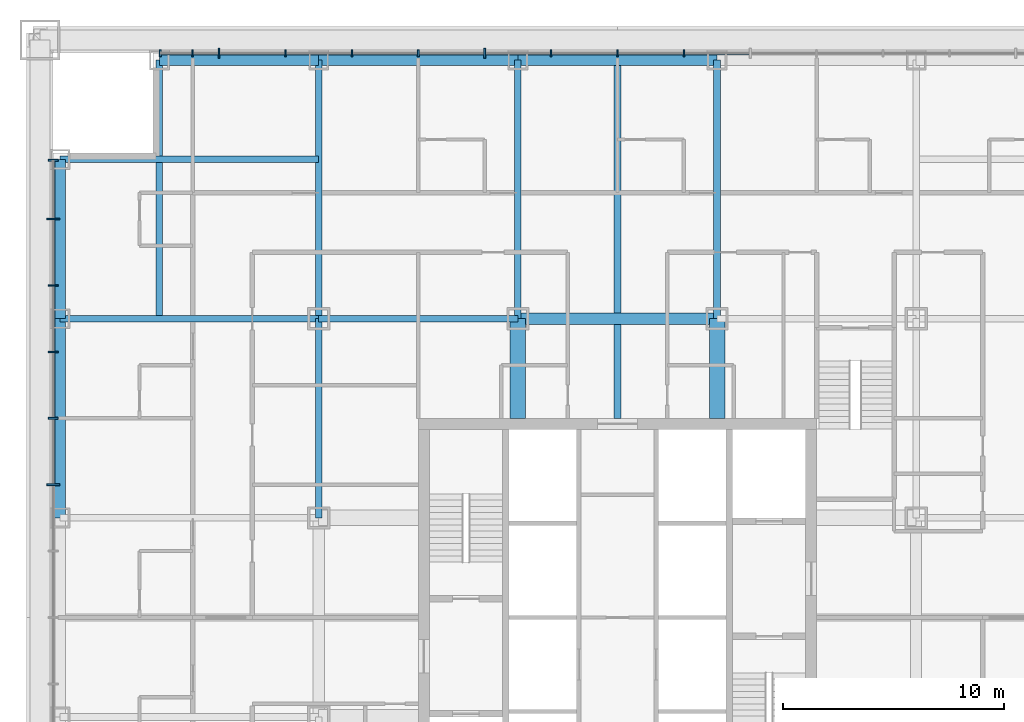
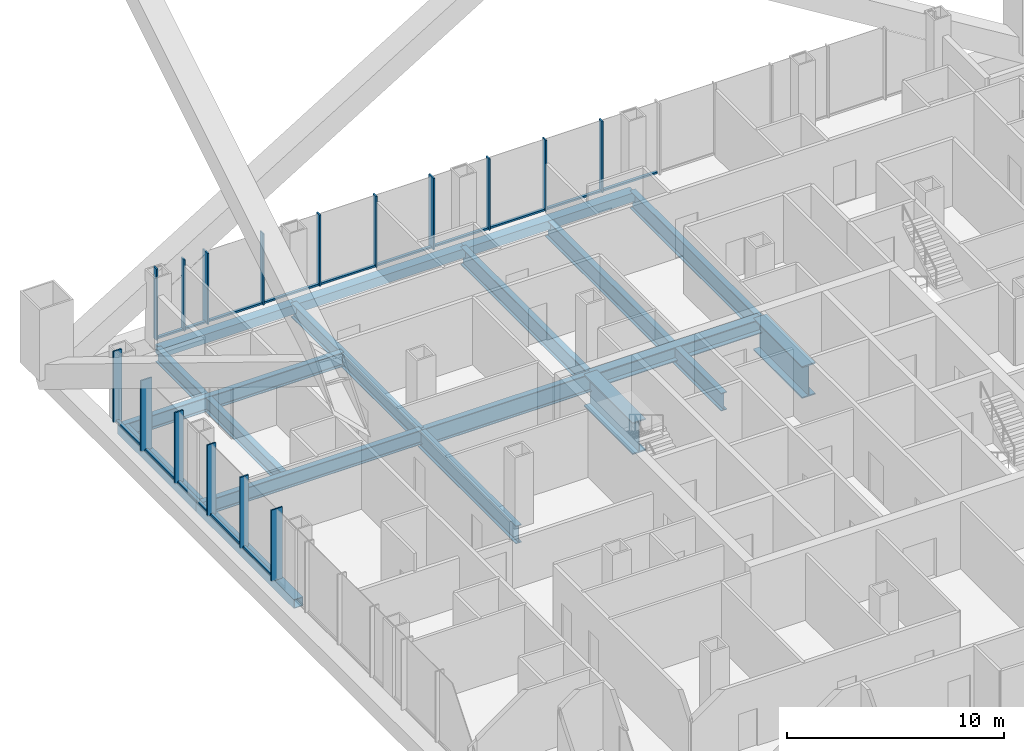
# One storey, part 8 of 21: 31 members, 17 beams, 2 elements without a shape of their own.
"""IFC4 building model written with IfcOpenShell, lengths in metres."""

from ifc_helpers import new_model, si_unit, direction, frame, origin, origin_2d, place, context, subcontext, project, spatial, rectangle, hollow_rectangle, i_section, extrude, material, layer, layer_set, material_profile, profile_set, type_object, element, aggregate, save


model = new_model("IFC4")

# Units and contexts
model_context = context("Model", 3, precision=1e-05, world=origin(), true_north=direction((0.0, 1.0)))
body_context = subcontext(model_context, "Body", "Model", "MODEL_VIEW")
ifc_project = project(units=[si_unit("LENGTHUNIT", "METRE"), si_unit("AREAUNIT", "SQUARE_METRE"), si_unit("VOLUMEUNIT", "CUBIC_METRE"), si_unit("PLANEANGLEUNIT", "RADIAN"), si_unit("MASSUNIT", "GRAM", prefix="KILO")], contexts=[model_context])

# Site, building, storey
site_placement = place(None, origin())
site = spatial("IfcSite", under=ifc_project, at=site_placement, CompositionType="ELEMENT")
building_placement = place(site_placement, origin())
building = spatial("IfcBuilding", under=site, at=building_placement, Name="Malebo Sky Hospital", CompositionType="ELEMENT")
storey_placement = place(building_placement, frame((0.0, 0.0, 63.0)))
storey = spatial("IfcBuildingStorey", under=building, at=storey_placement, Name="L14", CompositionType="ELEMENT", Elevation=63.0)

# Curtain wall, members
ifc_material_1 = material(Name="Anodised aluminium, natural silver", Category="aluminium")
ifc_layer_1 = layer(ifc_material_1, 0.25)
ifc_layer_set_1 = layer_set([ifc_layer_1], Name="WARD CURTAIN WALL NORTH AND SOUTH")
curtain_wall_type_1 = type_object("IfcCurtainWallType", Name="WARD CURTAIN WALL NORTH AND SOUTH", PredefinedType="NOTDEFINED", material=ifc_layer_set_1)
curtain_wall_1_placement = place(storey_placement, origin())
curtain_wall_1 = element("IfcCurtainWall", 1, at=curtain_wall_1_placement, inside=storey, type_object=curtain_wall_type_1, Name="NS curtain wall N", PredefinedType="NOTDEFINED")
ifc_material_profile_1 = material_profile(ifc_material_1, rectangle(XDim=0.14990234375, YDim=0.10009765625, at=origin_2d()), Name="ALUMINIUM TRANSOM 150x100")
ifc_profile_set_1 = profile_set([ifc_material_profile_1], Name="Anodised aluminium, natural silver")
member_type_1 = type_object("IfcMemberType", Name="ALUMINIUM TRANSOM 150x100", PredefinedType="USERDEFINED", material=ifc_profile_set_1)
member_1_placement = place(storey_placement, frame((39.375, 87.5, 0.050048828125), z_axis=(1.0, 0.0, 0.0), x_axis=(0.0, 1.0, 0.0)))
member_1 = element("IfcMember", 2, at=member_1_placement, type_object=member_type_1, Name="Transom 1", ObjectType="TRANSOM", PredefinedType="USERDEFINED", context=body_context, shape_type="SweptSolid", body=[
    extrude(rectangle(XDim=0.14990234375, YDim=0.10009765625, at=origin_2d()), origin(), (0.0, 0.0, 1.0), 1.387451171875),
])
member_2_placement = place(storey_placement, frame((40.83740234375, 87.5, 0.050048828125), z_axis=(1.0, 0.0, 0.0), x_axis=(0.0, 1.0, 0.0)))
member_2 = element("IfcMember", 3, at=member_2_placement, type_object=member_type_1, Name="Transom 2", ObjectType="TRANSOM", PredefinedType="USERDEFINED", context=body_context, shape_type="SweptSolid", body=[
    extrude(rectangle(XDim=0.14990234375, YDim=0.10009765625, at=origin_2d()), origin(), (0.0, 0.0, 1.0), 1.125),
])
member_3_placement = place(storey_placement, frame((42.03759765625, 87.5, 0.050048828125), z_axis=(1.0, 0.0, 0.0), x_axis=(0.0, 1.0, 0.0)))
member_3 = element("IfcMember", 4, at=member_3_placement, type_object=member_type_1, Name="Transom 3", ObjectType="TRANSOM", PredefinedType="USERDEFINED", context=body_context, shape_type="SweptSolid", body=[
    extrude(rectangle(XDim=0.14990234375, YDim=0.10009765625, at=origin_2d()), origin(), (0.0, 0.0, 1.0), 2.9248046875),
])
member_4_placement = place(storey_placement, frame((45.03759765625, 87.5, 0.050048828125), z_axis=(1.0, 0.0, 0.0), x_axis=(0.0, 1.0, 0.0)))
member_4 = element("IfcMember", 5, at=member_4_placement, type_object=member_type_1, Name="Transom 4", ObjectType="TRANSOM", PredefinedType="USERDEFINED", context=body_context, shape_type="SweptSolid", body=[
    extrude(rectangle(XDim=0.14990234375, YDim=0.10009765625, at=origin_2d()), origin(), (0.0, 0.0, 1.0), 2.9248046875),
])
member_5_placement = place(storey_placement, frame((48.03759765625, 87.5, 0.050048828125), z_axis=(1.0, 0.0, 0.0), x_axis=(0.0, 1.0, 0.0)))
member_5 = element("IfcMember", 6, at=member_5_placement, type_object=member_type_1, Name="Transom 5", ObjectType="TRANSOM", PredefinedType="USERDEFINED", context=body_context, shape_type="SweptSolid", body=[
    extrude(rectangle(XDim=0.14990234375, YDim=0.10009765625, at=origin_2d()), origin(), (0.0, 0.0, 1.0), 2.9248046875),
])
member_6_placement = place(storey_placement, frame((51.03759765625, 87.5, 0.050048828125), z_axis=(1.0, 0.0, 0.0), x_axis=(0.0, 1.0, 0.0)))
member_6 = element("IfcMember", 7, at=member_6_placement, type_object=member_type_1, Name="Transom 6", ObjectType="TRANSOM", PredefinedType="USERDEFINED", context=body_context, shape_type="SweptSolid", body=[
    extrude(rectangle(XDim=0.14990234375, YDim=0.10009765625, at=origin_2d()), origin(), (0.0, 0.0, 1.0), 2.9248046875),
])
member_7_placement = place(storey_placement, frame((54.03759765625, 87.5, 0.050048828125), z_axis=(1.0, 0.0, 0.0), x_axis=(0.0, 1.0, 0.0)))
member_7 = element("IfcMember", 8, at=member_7_placement, type_object=member_type_1, Name="Transom 7", ObjectType="TRANSOM", PredefinedType="USERDEFINED", context=body_context, shape_type="SweptSolid", body=[
    extrude(rectangle(XDim=0.14990234375, YDim=0.10009765625, at=origin_2d()), origin(), (0.0, 0.0, 1.0), 2.9248046875),
])
member_8_placement = place(storey_placement, frame((57.03759765625, 87.5, 0.050048828125), z_axis=(1.0, 0.0, 0.0), x_axis=(0.0, 1.0, 0.0)))
member_8 = element("IfcMember", 9, at=member_8_placement, type_object=member_type_1, Name="Transom 8", ObjectType="TRANSOM", PredefinedType="USERDEFINED", context=body_context, shape_type="SweptSolid", body=[
    extrude(rectangle(XDim=0.14990234375, YDim=0.10009765625, at=origin_2d()), origin(), (0.0, 0.0, 1.0), 2.9248046875),
])
member_9_placement = place(storey_placement, frame((60.03759765625, 87.5, 0.050048828125), z_axis=(1.0, 0.0, 0.0), x_axis=(0.0, 1.0, 0.0)))
member_9 = element("IfcMember", 10, at=member_9_placement, type_object=member_type_1, Name="Transom 9", ObjectType="TRANSOM", PredefinedType="USERDEFINED", context=body_context, shape_type="SweptSolid", body=[
    extrude(rectangle(XDim=0.14990234375, YDim=0.10009765625, at=origin_2d()), origin(), (0.0, 0.0, 1.0), 2.9248046875),
])
member_10_placement = place(storey_placement, frame((63.03759765625, 87.5, 0.050048828125), z_axis=(1.0, 0.0, 0.0), x_axis=(0.0, 1.0, 0.0)))
member_10 = element("IfcMember", 11, at=member_10_placement, type_object=member_type_1, Name="Transom 10", ObjectType="TRANSOM", PredefinedType="USERDEFINED", context=body_context, shape_type="SweptSolid", body=[
    extrude(rectangle(XDim=0.14990234375, YDim=0.10009765625, at=origin_2d()), origin(), (0.0, 0.0, 1.0), 2.9248046875),
])

ifc_layer_2 = layer(ifc_material_1, 0.25)
ifc_layer_set_2 = layer_set([ifc_layer_2], Name="WARD CURTAIN WALL EAST AND WEST")
curtain_wall_type_2 = type_object("IfcCurtainWallType", Name="WARD CURTAIN WALL EAST AND WEST", PredefinedType="NOTDEFINED", material=ifc_layer_set_2)
curtain_wall_2_placement = place(storey_placement, origin())
curtain_wall_2 = element("IfcCurtainWall", 12, at=curtain_wall_2_placement, inside=storey, type_object=curtain_wall_type_2, Name="EW curtain wall W", PredefinedType="NOTDEFINED")
member_11_placement = place(storey_placement, frame((34.5, 68.03759765625, 0.050048828125), z_axis=(0.0, 1.0, 0.0), x_axis=(-1.0, 0.0, 0.0)))
member_11 = element("IfcMember", 13, at=member_11_placement, type_object=member_type_1, Name="Transom 11", ObjectType="TRANSOM", PredefinedType="USERDEFINED", context=body_context, shape_type="SweptSolid", body=[
    extrude(rectangle(XDim=0.14990234375, YDim=0.10009765625, at=origin_2d()), origin(), (0.0, 0.0, 1.0), 2.9248046875),
])
member_12_placement = place(storey_placement, frame((34.5, 71.03759765625, 0.050048828125), z_axis=(0.0, 1.0, 0.0), x_axis=(-1.0, 0.0, 0.0)))
member_12 = element("IfcMember", 14, at=member_12_placement, type_object=member_type_1, Name="Transom 12", ObjectType="TRANSOM", PredefinedType="USERDEFINED", context=body_context, shape_type="SweptSolid", body=[
    extrude(rectangle(XDim=0.14990234375, YDim=0.10009765625, at=origin_2d()), origin(), (0.0, 0.0, 1.0), 2.9248046875),
])
member_13_placement = place(storey_placement, frame((34.5, 74.03759765625, 0.050048828125), z_axis=(0.0, 1.0, 0.0), x_axis=(-1.0, 0.0, 0.0)))
member_13 = element("IfcMember", 15, at=member_13_placement, type_object=member_type_1, Name="Transom 13", ObjectType="TRANSOM", PredefinedType="USERDEFINED", context=body_context, shape_type="SweptSolid", body=[
    extrude(rectangle(XDim=0.14990234375, YDim=0.10009765625, at=origin_2d()), origin(), (0.0, 0.0, 1.0), 2.9248046875),
])
member_14_placement = place(storey_placement, frame((34.5, 77.03759765625, 0.050048828125), z_axis=(0.0, 1.0, 0.0), x_axis=(-1.0, 0.0, 0.0)))
member_14 = element("IfcMember", 16, at=member_14_placement, type_object=member_type_1, Name="Transom 14", ObjectType="TRANSOM", PredefinedType="USERDEFINED", context=body_context, shape_type="SweptSolid", body=[
    extrude(rectangle(XDim=0.14990234375, YDim=0.10009765625, at=origin_2d()), origin(), (0.0, 0.0, 1.0), 2.9248046875),
])
member_15_placement = place(storey_placement, frame((34.5, 80.03759765625, 0.050048828125), z_axis=(0.0, 1.0, 0.0), x_axis=(-1.0, 0.0, 0.0)))
member_15 = element("IfcMember", 17, at=member_15_placement, type_object=member_type_1, Name="Transom 15", ObjectType="TRANSOM", PredefinedType="USERDEFINED", context=body_context, shape_type="SweptSolid", body=[
    extrude(rectangle(XDim=0.14990234375, YDim=0.10009765625, at=origin_2d()), origin(), (0.0, 0.0, 1.0), 2.58740234375),
])

# Member
ifc_material_profile_2 = material_profile(ifc_material_1, rectangle(XDim=0.074951171875, YDim=0.300048828125, at=origin_2d()), Name="CW1 ALUMINIUM FIN MULLION 75x300")
ifc_profile_set_2 = profile_set([ifc_material_profile_2], Name="Anodised aluminium, natural silver")
member_type_2 = type_object("IfcMemberType", Name="CW1 ALUMINIUM FIN MULLION 75x300", PredefinedType="MULLION", material=ifc_profile_set_2)
member_16_placement = place(storey_placement, frame((39.33740234375, 87.5, 0.0), z_axis=(0.0, 0.0, 1.0), x_axis=(1.0, 0.0, 0.0)))
member_16 = element("IfcMember", 18, at=member_16_placement, type_object=member_type_2, Name="Fin mullion 1", PredefinedType="MULLION", context=body_context, shape_type="SweptSolid", body=[
    extrude(rectangle(XDim=0.074951171875, YDim=0.300048828125, at=origin_2d()), origin(), (0.0, 0.0, 1.0), 4.0),
])

member_17_placement = place(storey_placement, frame((40.800048828125, 87.5, 0.0), z_axis=(0.0, 0.0, 1.0), x_axis=(1.0, 0.0, 0.0)))
member_17 = element("IfcMember", 19, at=member_17_placement, type_object=member_type_2, Name="Fin mullion 2", PredefinedType="MULLION", context=body_context, shape_type="SweptSolid", body=[
    extrude(rectangle(XDim=0.074951171875, YDim=0.300048828125, at=origin_2d()), origin(), (0.0, 0.0, 1.0), 4.0),
])

member_18_placement = place(storey_placement, frame((45.0, 87.5, 0.0), z_axis=(0.0, 0.0, 1.0), x_axis=(1.0, 0.0, 0.0)))
member_18 = element("IfcMember", 20, at=member_18_placement, type_object=member_type_2, Name="Fin mullion 4", PredefinedType="MULLION", context=body_context, shape_type="SweptSolid", body=[
    extrude(rectangle(XDim=0.074951171875, YDim=0.300048828125, at=origin_2d()), origin(), (0.0, 0.0, 1.0), 4.0),
])

member_19_placement = place(storey_placement, frame((48.0, 87.5, 0.0), z_axis=(0.0, 0.0, 1.0), x_axis=(1.0, 0.0, 0.0)))
member_19 = element("IfcMember", 21, at=member_19_placement, type_object=member_type_2, Name="Fin mullion 5", PredefinedType="MULLION", context=body_context, shape_type="SweptSolid", body=[
    extrude(rectangle(XDim=0.074951171875, YDim=0.300048828125, at=origin_2d()), origin(), (0.0, 0.0, 1.0), 4.0),
])

member_20_placement = place(storey_placement, frame((51.0, 87.5, 0.0), z_axis=(0.0, 0.0, 1.0), x_axis=(1.0, 0.0, 0.0)))
member_20 = element("IfcMember", 22, at=member_20_placement, type_object=member_type_2, Name="Fin mullion 6", PredefinedType="MULLION", context=body_context, shape_type="SweptSolid", body=[
    extrude(rectangle(XDim=0.074951171875, YDim=0.300048828125, at=origin_2d()), origin(), (0.0, 0.0, 1.0), 4.0),
])

member_21_placement = place(storey_placement, frame((57.0, 87.5, 0.0), z_axis=(0.0, 0.0, 1.0), x_axis=(1.0, 0.0, 0.0)))
member_21 = element("IfcMember", 23, at=member_21_placement, type_object=member_type_2, Name="Fin mullion 8", PredefinedType="MULLION", context=body_context, shape_type="SweptSolid", body=[
    extrude(rectangle(XDim=0.074951171875, YDim=0.300048828125, at=origin_2d()), origin(), (0.0, 0.0, 1.0), 4.0),
])

member_22_placement = place(storey_placement, frame((60.0, 87.5, 0.0), z_axis=(0.0, 0.0, 1.0), x_axis=(1.0, 0.0, 0.0)))
member_22 = element("IfcMember", 24, at=member_22_placement, type_object=member_type_2, Name="Fin mullion 9", PredefinedType="MULLION", context=body_context, shape_type="SweptSolid", body=[
    extrude(rectangle(XDim=0.074951171875, YDim=0.300048828125, at=origin_2d()), origin(), (0.0, 0.0, 1.0), 4.0),
])

member_23_placement = place(storey_placement, frame((63.0, 87.5, 0.0), z_axis=(0.0, 0.0, 1.0), x_axis=(1.0, 0.0, 0.0)))
member_23 = element("IfcMember", 25, at=member_23_placement, type_object=member_type_2, Name="Fin mullion 10", PredefinedType="MULLION", context=body_context, shape_type="SweptSolid", body=[
    extrude(rectangle(XDim=0.074951171875, YDim=0.300048828125, at=origin_2d()), origin(), (0.0, 0.0, 1.0), 4.0),
])

ifc_material_profile_3 = material_profile(ifc_material_1, rectangle(XDim=0.074951171875, YDim=0.449951171875, at=origin_2d()), Name="CW1 ALUMINIUM FIN MULLION 75x450")
ifc_profile_set_3 = profile_set([ifc_material_profile_3], Name="Anodised aluminium, natural silver")
member_type_3 = type_object("IfcMemberType", Name="CW1 ALUMINIUM FIN MULLION 75x450", PredefinedType="MULLION", material=ifc_profile_set_3)
member_24_placement = place(storey_placement, frame((42.0, 87.5, 0.0), z_axis=(0.0, 0.0, 1.0), x_axis=(1.0, 0.0, 0.0)))
member_24 = element("IfcMember", 26, at=member_24_placement, type_object=member_type_3, Name="Fin mullion 3", PredefinedType="MULLION", context=body_context, shape_type="SweptSolid", body=[
    extrude(rectangle(XDim=0.074951171875, YDim=0.449951171875, at=origin_2d()), origin(), (0.0, 0.0, 1.0), 4.0),
])

member_25_placement = place(storey_placement, frame((54.0, 87.5, 0.0), z_axis=(0.0, 0.0, 1.0), x_axis=(1.0, 0.0, 0.0)))
member_25 = element("IfcMember", 27, at=member_25_placement, type_object=member_type_3, Name="Fin mullion 7", PredefinedType="MULLION", context=body_context, shape_type="SweptSolid", body=[
    extrude(rectangle(XDim=0.074951171875, YDim=0.449951171875, at=origin_2d()), origin(), (0.0, 0.0, 1.0), 4.0),
])

aggregate(curtain_wall_1, [member_16, member_17, member_24, member_18, member_19, member_20, member_25, member_21, member_22, member_23, member_1, member_2, member_3, member_4, member_5, member_6, member_7, member_8, member_9, member_10])

ifc_material_profile_4 = material_profile(ifc_material_1, rectangle(XDim=0.074951171875, YDim=0.449951171875, at=origin_2d()), Name="CW2 ALUMINIUM FIN MULLION 75x450")
ifc_profile_set_4 = profile_set([ifc_material_profile_4], Name="Anodised aluminium, natural silver")
member_type_4 = type_object("IfcMemberType", Name="CW2 ALUMINIUM FIN MULLION 75x450", PredefinedType="MULLION", material=ifc_profile_set_4)
member_26_placement = place(storey_placement, frame((34.5, 71.0, 0.0), z_axis=(0.0, 0.0, 1.0), x_axis=(0.0, 1.0, 0.0)))
member_26 = element("IfcMember", 28, at=member_26_placement, type_object=member_type_4, Name="Fin mullion 12", PredefinedType="MULLION", context=body_context, shape_type="SweptSolid", body=[
    extrude(rectangle(XDim=0.074951171875, YDim=0.449951171875, at=origin_2d()), origin(), (0.0, 0.0, 1.0), 4.0),
])

member_27_placement = place(storey_placement, frame((34.5, 74.0, 0.0), z_axis=(0.0, 0.0, 1.0), x_axis=(0.0, 1.0, 0.0)))
member_27 = element("IfcMember", 29, at=member_27_placement, type_object=member_type_4, Name="Fin mullion 13", PredefinedType="MULLION", context=body_context, shape_type="SweptSolid", body=[
    extrude(rectangle(XDim=0.074951171875, YDim=0.449951171875, at=origin_2d()), origin(), (0.0, 0.0, 1.0), 4.0),
])

member_28_placement = place(storey_placement, frame((34.5, 77.0, 0.0), z_axis=(0.0, 0.0, 1.0), x_axis=(0.0, 1.0, 0.0)))
member_28 = element("IfcMember", 30, at=member_28_placement, type_object=member_type_4, Name="Fin mullion 14", PredefinedType="MULLION", context=body_context, shape_type="SweptSolid", body=[
    extrude(rectangle(XDim=0.074951171875, YDim=0.449951171875, at=origin_2d()), origin(), (0.0, 0.0, 1.0), 4.0),
])

member_29_placement = place(storey_placement, frame((34.5, 82.66259765625, 0.0), z_axis=(0.0, 0.0, 1.0), x_axis=(0.0, 1.0, 0.0)))
member_29 = element("IfcMember", 31, at=member_29_placement, type_object=member_type_4, Name="Fin mullion 16", PredefinedType="MULLION", context=body_context, shape_type="SweptSolid", body=[
    extrude(rectangle(XDim=0.074951171875, YDim=0.449951171875, at=origin_2d()), origin(), (0.0, 0.0, 1.0), 4.0),
])

ifc_material_profile_5 = material_profile(ifc_material_1, rectangle(XDim=0.074951171875, YDim=0.60009765625, at=origin_2d()), Name="CW2 ALUMINIUM FIN MULLION 75x600")
ifc_profile_set_5 = profile_set([ifc_material_profile_5], Name="Anodised aluminium, natural silver")
member_type_5 = type_object("IfcMemberType", Name="CW2 ALUMINIUM FIN MULLION 75x600", PredefinedType="MULLION", material=ifc_profile_set_5)
member_30_placement = place(storey_placement, frame((34.5, 68.0, 0.0), z_axis=(0.0, 0.0, 1.0), x_axis=(0.0, 1.0, 0.0)))
member_30 = element("IfcMember", 32, at=member_30_placement, type_object=member_type_5, Name="Fin mullion 11", PredefinedType="MULLION", context=body_context, shape_type="SweptSolid", body=[
    extrude(rectangle(XDim=0.074951171875, YDim=0.60009765625, at=origin_2d()), origin(), (0.0, 0.0, 1.0), 4.0),
])

member_31_placement = place(storey_placement, frame((34.5, 80.0, 0.0), z_axis=(0.0, 0.0, 1.0), x_axis=(0.0, 1.0, 0.0)))
member_31 = element("IfcMember", 33, at=member_31_placement, type_object=member_type_5, Name="Fin mullion 15", PredefinedType="MULLION", context=body_context, shape_type="SweptSolid", body=[
    extrude(rectangle(XDim=0.074951171875, YDim=0.60009765625, at=origin_2d()), origin(), (0.0, 0.0, 1.0), 4.0),
])

aggregate(curtain_wall_2, [member_30, member_26, member_27, member_28, member_31, member_29, member_11, member_12, member_13, member_14, member_15])

# Beams
ifc_material_2 = material(Name="Steel S460", Category="steel")
ifc_material_profile_6 = material_profile(ifc_material_2, hollow_rectangle(XDim=0.5, YDim=0.5, WallThickness=0.030029296875, at=origin_2d()), Name="BOX 500x500x30")
ifc_profile_set_6 = profile_set([ifc_material_profile_6], Name="Steel S460")
beam_type_1 = type_object("IfcBeamType", Name="EDGE BEAM BOX 500x500x30", PredefinedType="BEAM", material=ifc_profile_set_6)
beam_1_placement = place(storey_placement, frame((34.800048828125, 66.5, -0.5), z_axis=(0.0, 1.0, 0.0), x_axis=(-1.0, 0.0, 0.0)))
element("IfcBeam", 34, at=beam_1_placement, inside=storey, type_object=beam_type_1, Name="Beam 003 L14", PredefinedType="BEAM", context=body_context, shape_type="SweptSolid", body=[
    extrude(hollow_rectangle(XDim=0.5, YDim=0.5, WallThickness=0.030029296875, at=origin_2d()), origin(), (0.0, 0.0, 1.0), 9.0),
])
for number, where, z_axis, x_axis, name in (
    (35, (34.800048828125, 75.5, -0.5), (0.0, 1.0, 0.0), (-1.0, 0.0, 0.0), "Beam 004 L14"),
    (36, (39.300048828125, 87.199951171875, -0.5), (1.0, 0.0, 0.0), (0.0, 1.0, 0.0), "Beam 063 L14"),
):
    element("IfcBeam", number, at=place(storey_placement, frame(where, z_axis=z_axis, x_axis=x_axis)), inside=storey, type_object=beam_type_1, Name=name, PredefinedType="BEAM", context=body_context, shape_type="SweptSolid", body=[
        extrude(hollow_rectangle(XDim=0.5, YDim=0.5, WallThickness=0.030029296875, at=origin_2d()), origin(), (0.0, 0.0, 1.0), 7.199951171875),
    ])
for number, where, z_axis, x_axis, name in (
    (37, (46.5, 87.199951171875, -0.5), (1.0, 0.0, 0.0), (0.0, 1.0, 0.0), "Beam 064 L14"),
    (38, (55.5, 87.199951171875, -0.5), (1.0, 0.0, 0.0), (0.0, 1.0, 0.0), "Beam 065 L14"),
):
    element("IfcBeam", number, at=place(storey_placement, frame(where, z_axis=z_axis, x_axis=x_axis)), inside=storey, type_object=beam_type_1, Name=name, PredefinedType="BEAM", context=body_context, shape_type="SweptSolid", body=[
        extrude(hollow_rectangle(XDim=0.5, YDim=0.5, WallThickness=0.030029296875, at=origin_2d()), origin(), (0.0, 0.0, 1.0), 9.0),
    ])
ifc_material_3 = material(Name="Steel S355", Category="steel")
ifc_material_profile_7 = material_profile(ifc_material_3, i_section(OverallWidth=0.300048828125, OverallDepth=1.0, WebThickness=0.01904296875, FlangeThickness=0.035888671875, FilletRadius=0.030029296875, at=origin_2d()), Name="HEB 1000")
ifc_profile_set_7 = profile_set([ifc_material_profile_7], Name="Steel S355")
beam_type_2 = type_object("IfcBeamType", Name="FLOOR BEAM HEB 1000", PredefinedType="BEAM", material=ifc_profile_set_7)
beam_2_placement = place(storey_placement, frame((46.5, 66.5, -0.75), z_axis=(0.0, 1.0, 0.0), x_axis=(-1.0, 0.0, 0.0)))
element("IfcBeam", 39, at=beam_2_placement, inside=storey, type_object=beam_type_2, Name="Beam 010 L14", PredefinedType="BEAM", context=body_context, shape_type="SweptSolid", body=[
    extrude(i_section(OverallWidth=0.300048828125, OverallDepth=1.0, WebThickness=0.01904296875, FlangeThickness=0.035888671875, FilletRadius=0.030029296875, at=origin_2d()), origin(), (0.0, 0.0, 1.0), 9.0),
])
beam_3_placement = place(storey_placement, frame((55.5, 75.5, -0.75), z_axis=(0.0, 1.0, 0.0), x_axis=(-1.0, 0.0, 0.0)))
element("IfcBeam", 40, at=beam_3_placement, inside=storey, type_object=beam_type_2, Name="Beam 015 L14", PredefinedType="BEAM", context=body_context, shape_type="SweptSolid", body=[
    extrude(i_section(OverallWidth=0.300048828125, OverallDepth=1.0, WebThickness=0.01904296875, FlangeThickness=0.035888671875, FilletRadius=0.030029296875, at=origin_2d()), origin(), (0.0, 0.0, 1.0), 11.699951171875),
])
beam_4_placement = place(storey_placement, frame((60.0, 71.0, -0.75), z_axis=(0.0, 1.0, 0.0), x_axis=(-1.0, 0.0, 0.0)))
element("IfcBeam", 41, at=beam_4_placement, inside=storey, type_object=beam_type_2, Name="Beam 017 L14", PredefinedType="BEAM", context=body_context, shape_type="SweptSolid", body=[
    extrude(i_section(OverallWidth=0.300048828125, OverallDepth=1.0, WebThickness=0.01904296875, FlangeThickness=0.035888671875, FilletRadius=0.030029296875, at=origin_2d()), origin(), (0.0, 0.0, 1.0), 16.199951171875),
])
beam_5_placement = place(storey_placement, frame((64.5, 75.5, -0.75), z_axis=(0.0, 1.0, 0.0), x_axis=(-1.0, 0.0, 0.0)))
element("IfcBeam", 42, at=beam_5_placement, inside=storey, type_object=beam_type_2, Name="Beam 021 L14", PredefinedType="BEAM", context=body_context, shape_type="SweptSolid", body=[
    extrude(i_section(OverallWidth=0.300048828125, OverallDepth=1.0, WebThickness=0.01904296875, FlangeThickness=0.035888671875, FilletRadius=0.030029296875, at=origin_2d()), origin(), (0.0, 0.0, 1.0), 11.699951171875),
])
beam_6_placement = place(storey_placement, frame((46.5, 75.5, -0.75), z_axis=(1.0, 0.0, 0.0), x_axis=(0.0, 1.0, 0.0)))
element("IfcBeam", 43, at=beam_6_placement, inside=storey, type_object=beam_type_2, Name="Beam 057 L14", PredefinedType="BEAM", context=body_context, shape_type="SweptSolid", body=[
    extrude(i_section(OverallWidth=0.300048828125, OverallDepth=1.0, WebThickness=0.01904296875, FlangeThickness=0.035888671875, FilletRadius=0.030029296875, at=origin_2d()), origin(), (0.0, 0.0, 1.0), 9.0),
])
ifc_material_profile_8 = material_profile(ifc_material_3, i_section(OverallWidth=0.300048828125, OverallDepth=0.800048828125, WebThickness=0.017578125, FlangeThickness=0.032958984375, FilletRadius=0.030029296875, at=origin_2d()), Name="HEB 800")
ifc_profile_set_8 = profile_set([ifc_material_profile_8], Name="Steel S355")
beam_type_3 = type_object("IfcBeamType", Name="FLOOR BEAM HEB 800", PredefinedType="BEAM", material=ifc_profile_set_8)
for number, where, z_axis, x_axis, name in (
    (44, (39.300048828125, 75.5, -0.64990234375), (0.0, 1.0, 0.0), (-1.0, 0.0, 0.0), "Beam 006 L14"),
    (45, (34.800048828125, 82.699951171875, -0.64990234375), (1.0, 0.0, 0.0), (0.0, 1.0, 0.0), "Beam 061 L14"),
):
    element("IfcBeam", number, at=place(storey_placement, frame(where, z_axis=z_axis, x_axis=x_axis)), inside=storey, type_object=beam_type_3, Name=name, PredefinedType="BEAM", context=body_context, shape_type="SweptSolid", body=[
        extrude(i_section(OverallWidth=0.300048828125, OverallDepth=0.800048828125, WebThickness=0.017578125, FlangeThickness=0.032958984375, FilletRadius=0.030029296875, at=origin_2d()), origin(), (0.0, 0.0, 1.0), 11.699951171875),
    ])
ifc_material_profile_9 = material_profile(ifc_material_3, i_section(OverallWidth=0.699951171875, OverallDepth=1.800048828125, WebThickness=0.034912109375, FlangeThickness=0.070068359375, at=origin_2d()), Name="PG 1800x700x35x70")
ifc_profile_set_9 = profile_set([ifc_material_profile_9], Name="Steel S355")
beam_type_4 = type_object("IfcBeamType", Name="FLOOR BEAM PG 1800x700x35x70", PredefinedType="BEAM", material=ifc_profile_set_9)
for number, where, z_axis, x_axis, name in (
    (46, (55.5, 71.0, -1.14990234375), (0.0, 1.0, 0.0), (-1.0, 0.0, 0.0), "Beam 014 L14"),
    (47, (64.5, 71.0, -1.14990234375), (0.0, 1.0, 0.0), (-1.0, 0.0, 0.0), "Beam 020 L14"),
):
    element("IfcBeam", number, at=place(storey_placement, frame(where, z_axis=z_axis, x_axis=x_axis)), inside=storey, type_object=beam_type_4, Name=name, PredefinedType="BEAM", context=body_context, shape_type="SweptSolid", body=[
        extrude(i_section(OverallWidth=0.699951171875, OverallDepth=1.800048828125, WebThickness=0.034912109375, FlangeThickness=0.070068359375, at=origin_2d()), origin(), (0.0, 0.0, 1.0), 4.5),
    ])
ifc_material_profile_10 = material_profile(ifc_material_3, i_section(OverallWidth=0.300048828125, OverallDepth=0.800048828125, WebThickness=0.017578125, FlangeThickness=0.032958984375, FilletRadius=0.030029296875, at=origin_2d()), Name="HEB 800")
ifc_profile_set_10 = profile_set([ifc_material_profile_10], Name="Steel S355")
beam_type_5 = type_object("IfcBeamType", Name="FLOOR GIRDER HEB 800", PredefinedType="BEAM", material=ifc_profile_set_10)
for number, where, z_axis, x_axis, name in (
    (48, (46.5, 75.5, -0.64990234375), (0.0, 1.0, 0.0), (-1.0, 0.0, 0.0), "Beam 011 L14"),
    (49, (34.800048828125, 75.5, -0.64990234375), (1.0, 0.0, 0.0), (0.0, 1.0, 0.0), "Beam 056 L14"),
):
    element("IfcBeam", number, at=place(storey_placement, frame(where, z_axis=z_axis, x_axis=x_axis)), inside=storey, type_object=beam_type_5, Name=name, PredefinedType="BEAM", context=body_context, shape_type="SweptSolid", body=[
        extrude(i_section(OverallWidth=0.300048828125, OverallDepth=0.800048828125, WebThickness=0.017578125, FlangeThickness=0.032958984375, FilletRadius=0.030029296875, at=origin_2d()), origin(), (0.0, 0.0, 1.0), 11.699951171875),
    ])
ifc_material_profile_11 = material_profile(ifc_material_3, i_section(OverallWidth=0.5, OverallDepth=0.800048828125, WebThickness=0.030029296875, FlangeThickness=0.050048828125, at=origin_2d()), Name="PG 800x500x30x50")
ifc_profile_set_11 = profile_set([ifc_material_profile_11], Name="Steel S355")
beam_type_6 = type_object("IfcBeamType", Name="RING GIRDER PG 800x500x30x50", PredefinedType="BEAM", material=ifc_profile_set_11)
beam_7_placement = place(storey_placement, frame((55.5, 75.5, -0.64990234375), z_axis=(1.0, 0.0, 0.0), x_axis=(0.0, 1.0, 0.0)))
element("IfcBeam", 50, at=beam_7_placement, inside=storey, type_object=beam_type_6, Name="Beam 058 L14", PredefinedType="BEAM", context=body_context, shape_type="SweptSolid", body=[
    extrude(i_section(OverallWidth=0.5, OverallDepth=0.800048828125, WebThickness=0.030029296875, FlangeThickness=0.050048828125, at=origin_2d()), origin(), (0.0, 0.0, 1.0), 9.0),
])

save(model, "model.ifc")
